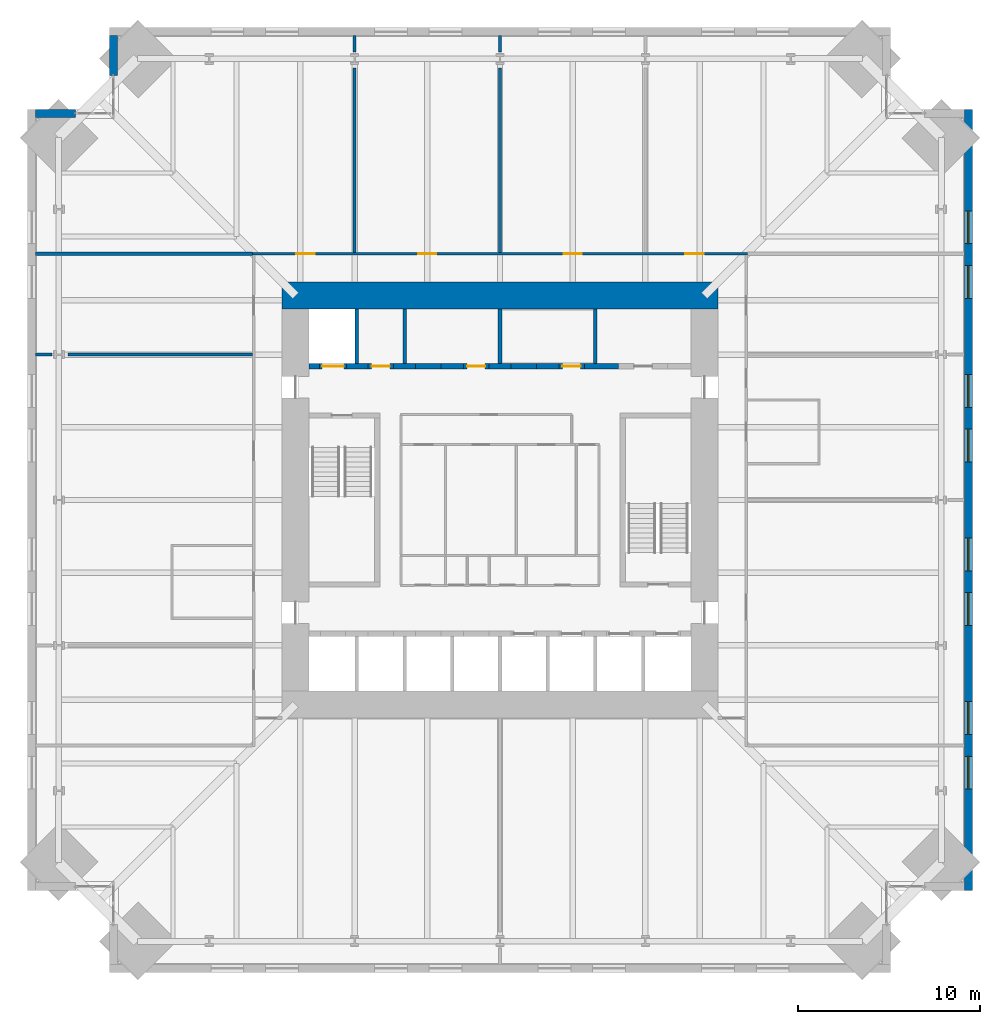
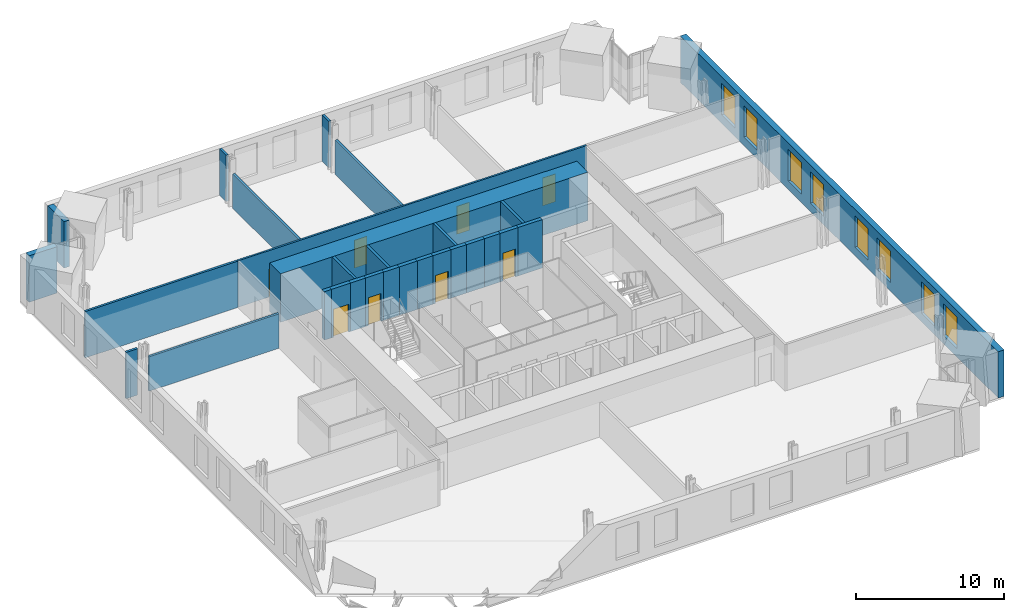
# One storey, part 16 of 18: 29 walls, 8 doors, 8 windows, 16 openings.
"""IFC4 building model written with IfcOpenShell, lengths in metres."""

from ifc_helpers import new_model, si_unit, direction, frame, frame_2d, origin, place, context, subcontext, project, spatial, rectangle, extrude, material, layer, layer_set, type_object, element, fill, save


model = new_model("IFC4")

# Units and contexts
model_context = context("Model", 3, precision=1e-05, world=origin(), true_north=direction((0.0, 1.0)))
body_context = subcontext(model_context, "Body", "Model", "MODEL_VIEW")
ifc_project = project(units=[si_unit("LENGTHUNIT", "METRE"), si_unit("AREAUNIT", "SQUARE_METRE"), si_unit("VOLUMEUNIT", "CUBIC_METRE"), si_unit("PLANEANGLEUNIT", "RADIAN"), si_unit("MASSUNIT", "GRAM", prefix="KILO")], contexts=[model_context])

# Site, building, storey
site_placement = place(None, origin())
site = spatial("IfcSite", under=ifc_project, at=site_placement, CompositionType="ELEMENT")
building_placement = place(site_placement, origin())
building = spatial("IfcBuilding", under=site, at=building_placement, Name="Peilmerk Tower", CompositionType="ELEMENT")
storey_placement = place(building_placement, frame((0.0, 0.0, 163.800048828125)))
storey = spatial("IfcBuildingStorey", under=building, at=storey_placement, Name="L34", CompositionType="ELEMENT", Elevation=163.800048828125)

# Wall, openings, windows
ifc_material_1 = material(Name="Precast concrete C45/55, board-marked finish", Category="concrete")
ifc_layer_1 = layer(ifc_material_1, 0.449951171875)
ifc_layer_set_1 = layer_set([ifc_layer_1], Name="Precast concrete C45/55, board-marked finish")
wall_type_1 = type_object("IfcWallType", Name="EW1 450 precast concrete facade wall, board-marked", PredefinedType="SOLIDWALL", material=ifc_layer_set_1)
wall_1_placement = place(storey_placement, frame((25.77490234375, -21.5, 0.0), z_axis=(0.0, 0.0, 1.0), x_axis=(0.0, 1.0, 0.0)))
wall_1 = element("IfcWall", 1, at=wall_1_placement, inside=storey, type_object=wall_type_1, Name="Facade wall E L34", PredefinedType="SOLIDWALL", context=body_context, shape_type="SweptSolid", body=[
    extrude(rectangle(XDim=43.0, YDim=0.449951171875, at=frame_2d((21.5, 0.0))), origin(), (0.0, 0.0, 1.0), 3.829833984375),
])
opening_1_placement = place(wall_1_placement, frame((5.60009765625, 0.0, 0.699951171875)))
opening_1 = element("IfcOpeningElement", 2, at=opening_1_placement, cuts=wall_1, Name="Opening W1", PredefinedType="OPENING", context=body_context, shape_type="SweptSolid", body=[
    extrude(rectangle(XDim=1.800048828125, YDim=2.60009765625, at=frame_2d((0.89990234375, 1.300048828125))), frame((0.0, 0.23486328125, 0.0), z_axis=(0.0, -1.0, 0.0), x_axis=(1.0, 0.0, 0.0)), (0.0, 0.0, 1.0), 0.469970703125),
])
opening_2_placement = place(wall_1_placement, frame((8.60009765625, 0.0, 0.699951171875)))
opening_2 = element("IfcOpeningElement", 3, at=opening_2_placement, cuts=wall_1, Name="Opening W1", PredefinedType="OPENING", context=body_context, shape_type="SweptSolid", body=[
    extrude(rectangle(XDim=1.800048828125, YDim=2.60009765625, at=frame_2d((0.89990234375, 1.300048828125))), frame((0.0, 0.23486328125, 0.0), z_axis=(0.0, -1.0, 0.0), x_axis=(1.0, 0.0, 0.0)), (0.0, 0.0, 1.0), 0.469970703125),
])
opening_3_placement = place(wall_1_placement, frame((14.60009765625, 0.0, 0.699951171875)))
opening_3 = element("IfcOpeningElement", 4, at=opening_3_placement, cuts=wall_1, Name="Opening W1", PredefinedType="OPENING", context=body_context, shape_type="SweptSolid", body=[
    extrude(rectangle(XDim=1.800048828125, YDim=2.60009765625, at=frame_2d((0.89990234375, 1.300048828125))), frame((0.0, 0.23486328125, 0.0), z_axis=(0.0, -1.0, 0.0), x_axis=(1.0, 0.0, 0.0)), (0.0, 0.0, 1.0), 0.469970703125),
])
opening_4_placement = place(wall_1_placement, frame((17.60009765625, 0.0, 0.699951171875)))
opening_4 = element("IfcOpeningElement", 5, at=opening_4_placement, cuts=wall_1, Name="Opening W1", PredefinedType="OPENING", context=body_context, shape_type="SweptSolid", body=[
    extrude(rectangle(XDim=1.800048828125, YDim=2.60009765625, at=frame_2d((0.89990234375, 1.300048828125))), frame((0.0, 0.23486328125, 0.0), z_axis=(0.0, -1.0, 0.0), x_axis=(1.0, 0.0, 0.0)), (0.0, 0.0, 1.0), 0.469970703125),
])
opening_5_placement = place(wall_1_placement, frame((23.60009765625, 0.0, 0.699951171875)))
opening_5 = element("IfcOpeningElement", 6, at=opening_5_placement, cuts=wall_1, Name="Opening W1", PredefinedType="OPENING", context=body_context, shape_type="SweptSolid", body=[
    extrude(rectangle(XDim=1.800048828125, YDim=2.60009765625, at=frame_2d((0.89990234375, 1.300048828125))), frame((0.0, 0.23486328125, 0.0), z_axis=(0.0, -1.0, 0.0), x_axis=(1.0, 0.0, 0.0)), (0.0, 0.0, 1.0), 0.469970703125),
])
opening_6_placement = place(wall_1_placement, frame((26.60009765625, 0.0, 0.699951171875)))
opening_6 = element("IfcOpeningElement", 7, at=opening_6_placement, cuts=wall_1, Name="Opening W1", PredefinedType="OPENING", context=body_context, shape_type="SweptSolid", body=[
    extrude(rectangle(XDim=1.800048828125, YDim=2.60009765625, at=frame_2d((0.89990234375, 1.300048828125))), frame((0.0, 0.23486328125, 0.0), z_axis=(0.0, -1.0, 0.0), x_axis=(1.0, 0.0, 0.0)), (0.0, 0.0, 1.0), 0.469970703125),
])
opening_7_placement = place(wall_1_placement, frame((32.60009765625, 0.0, 0.699951171875)))
opening_7 = element("IfcOpeningElement", 8, at=opening_7_placement, cuts=wall_1, Name="Opening W1", PredefinedType="OPENING", context=body_context, shape_type="SweptSolid", body=[
    extrude(rectangle(XDim=1.800048828125, YDim=2.60009765625, at=frame_2d((0.89990234375, 1.300048828125))), frame((0.0, 0.23486328125, 0.0), z_axis=(0.0, -1.0, 0.0), x_axis=(1.0, 0.0, 0.0)), (0.0, 0.0, 1.0), 0.469970703125),
])
opening_8_placement = place(wall_1_placement, frame((35.60009765625, 0.0, 0.699951171875)))
opening_8 = element("IfcOpeningElement", 9, at=opening_8_placement, cuts=wall_1, Name="Opening W1", PredefinedType="OPENING", context=body_context, shape_type="SweptSolid", body=[
    extrude(rectangle(XDim=1.800048828125, YDim=2.60009765625, at=frame_2d((0.89990234375, 1.300048828125))), frame((0.0, 0.23486328125, 0.0), z_axis=(0.0, -1.0, 0.0), x_axis=(1.0, 0.0, 0.0)), (0.0, 0.0, 1.0), 0.469970703125),
])
ifc_material_2 = material(Name="Aluminium frame, clear double glazing", Category="aluminium")
window_type = type_object("IfcWindowType", Name="W1 1800x2600 office window", PartitioningType="SINGLE_PANEL", PredefinedType="WINDOW", material=ifc_material_2)
window_1_placement = place(opening_1_placement, origin())
window_1 = element("IfcWindow", 10, at=window_1_placement, inside=storey, type_object=window_type, Name="Window W1 L34", OverallHeight=2.60009765625, OverallWidth=1.800048828125, PartitioningType="SINGLE_PANEL", PredefinedType="WINDOW", context=body_context, shape_type="SweptSolid", body=[
    extrude(rectangle(XDim=1.800048828125, YDim=2.60009765625, at=frame_2d((0.89990234375, 1.300048828125))), frame((0.0, 0.030029296875, 0.0), z_axis=(0.0, -1.0, 0.0), x_axis=(1.0, 0.0, 0.0)), (0.0, 0.0, 1.0), 0.06005859375),
])
fill(opening_1, window_1)
window_2_placement = place(opening_2_placement, origin())
window_2 = element("IfcWindow", 11, at=window_2_placement, inside=storey, type_object=window_type, Name="Window W1 L34", OverallHeight=2.60009765625, OverallWidth=1.800048828125, PartitioningType="SINGLE_PANEL", PredefinedType="WINDOW", context=body_context, shape_type="SweptSolid", body=[
    extrude(rectangle(XDim=1.800048828125, YDim=2.60009765625, at=frame_2d((0.89990234375, 1.300048828125))), frame((0.0, 0.030029296875, 0.0), z_axis=(0.0, -1.0, 0.0), x_axis=(1.0, 0.0, 0.0)), (0.0, 0.0, 1.0), 0.06005859375),
])
fill(opening_2, window_2)
window_3_placement = place(opening_3_placement, origin())
window_3 = element("IfcWindow", 12, at=window_3_placement, inside=storey, type_object=window_type, Name="Window W1 L34", OverallHeight=2.60009765625, OverallWidth=1.800048828125, PartitioningType="SINGLE_PANEL", PredefinedType="WINDOW", context=body_context, shape_type="SweptSolid", body=[
    extrude(rectangle(XDim=1.800048828125, YDim=2.60009765625, at=frame_2d((0.89990234375, 1.300048828125))), frame((0.0, 0.030029296875, 0.0), z_axis=(0.0, -1.0, 0.0), x_axis=(1.0, 0.0, 0.0)), (0.0, 0.0, 1.0), 0.06005859375),
])
fill(opening_3, window_3)
window_4_placement = place(opening_4_placement, origin())
window_4 = element("IfcWindow", 13, at=window_4_placement, inside=storey, type_object=window_type, Name="Window W1 L34", OverallHeight=2.60009765625, OverallWidth=1.800048828125, PartitioningType="SINGLE_PANEL", PredefinedType="WINDOW", context=body_context, shape_type="SweptSolid", body=[
    extrude(rectangle(XDim=1.800048828125, YDim=2.60009765625, at=frame_2d((0.89990234375, 1.300048828125))), frame((0.0, 0.030029296875, 0.0), z_axis=(0.0, -1.0, 0.0), x_axis=(1.0, 0.0, 0.0)), (0.0, 0.0, 1.0), 0.06005859375),
])
fill(opening_4, window_4)
window_5_placement = place(opening_5_placement, origin())
window_5 = element("IfcWindow", 14, at=window_5_placement, inside=storey, type_object=window_type, Name="Window W1 L34", OverallHeight=2.60009765625, OverallWidth=1.800048828125, PartitioningType="SINGLE_PANEL", PredefinedType="WINDOW", context=body_context, shape_type="SweptSolid", body=[
    extrude(rectangle(XDim=1.800048828125, YDim=2.60009765625, at=frame_2d((0.89990234375, 1.300048828125))), frame((0.0, 0.030029296875, 0.0), z_axis=(0.0, -1.0, 0.0), x_axis=(1.0, 0.0, 0.0)), (0.0, 0.0, 1.0), 0.06005859375),
])
fill(opening_5, window_5)
window_6_placement = place(opening_6_placement, origin())
window_6 = element("IfcWindow", 15, at=window_6_placement, inside=storey, type_object=window_type, Name="Window W1 L34", OverallHeight=2.60009765625, OverallWidth=1.800048828125, PartitioningType="SINGLE_PANEL", PredefinedType="WINDOW", context=body_context, shape_type="SweptSolid", body=[
    extrude(rectangle(XDim=1.800048828125, YDim=2.60009765625, at=frame_2d((0.89990234375, 1.300048828125))), frame((0.0, 0.030029296875, 0.0), z_axis=(0.0, -1.0, 0.0), x_axis=(1.0, 0.0, 0.0)), (0.0, 0.0, 1.0), 0.06005859375),
])
fill(opening_6, window_6)
window_7_placement = place(opening_7_placement, origin())
window_7 = element("IfcWindow", 16, at=window_7_placement, inside=storey, type_object=window_type, Name="Window W1 L34", OverallHeight=2.60009765625, OverallWidth=1.800048828125, PartitioningType="SINGLE_PANEL", PredefinedType="WINDOW", context=body_context, shape_type="SweptSolid", body=[
    extrude(rectangle(XDim=1.800048828125, YDim=2.60009765625, at=frame_2d((0.89990234375, 1.300048828125))), frame((0.0, 0.030029296875, 0.0), z_axis=(0.0, -1.0, 0.0), x_axis=(1.0, 0.0, 0.0)), (0.0, 0.0, 1.0), 0.06005859375),
])
fill(opening_7, window_7)
window_8_placement = place(opening_8_placement, origin())
window_8 = element("IfcWindow", 17, at=window_8_placement, inside=storey, type_object=window_type, Name="Window W1 L34", OverallHeight=2.60009765625, OverallWidth=1.800048828125, PartitioningType="SINGLE_PANEL", PredefinedType="WINDOW", context=body_context, shape_type="SweptSolid", body=[
    extrude(rectangle(XDim=1.800048828125, YDim=2.60009765625, at=frame_2d((0.89990234375, 1.300048828125))), frame((0.0, 0.030029296875, 0.0), z_axis=(0.0, -1.0, 0.0), x_axis=(1.0, 0.0, 0.0)), (0.0, 0.0, 1.0), 0.06005859375),
])
fill(opening_8, window_8)

# Walls
for number, where, z_axis, x_axis, name in (
    (18, (-21.27490234375, 23.353759765625, 0.0), (0.0, 0.0, 1.0), (0.0, 1.0, 0.0), "Facade wall NWA L34"),
    (19, (-23.353759765625, 21.27490234375, 0.0), (0.0, 0.0, 1.0), (-1.0, 0.0, 0.0), "Facade wall NWB L34"),
):
    element("IfcWall", number, at=place(storey_placement, frame(where, z_axis=z_axis, x_axis=x_axis)), inside=storey, type_object=wall_type_1, Name=name, PredefinedType="SOLIDWALL", context=body_context, shape_type="SweptSolid", body=[
        extrude(rectangle(XDim=2.1962890625, YDim=0.449951171875, at=frame_2d((1.09814453125, 0.0))), origin(), (0.0, 0.0, 1.0), 3.829833984375),
    ])

# Wall, openings, doors
ifc_material_3 = material(Name="Calcium silicate block", Category="masonry")
ifc_layer_2 = layer(ifc_material_3, 0.14990234375)
ifc_layer_set_2 = layer_set([ifc_layer_2], Name="Calcium silicate block")
wall_type_2 = type_object("IfcWallType", Name="IW1 150 corridor partition, EI 60", PredefinedType="PARTITIONING", material=ifc_layer_set_2)
wall_2_placement = place(storey_placement, frame((-13.625, 13.550048828125, 0.0), z_axis=(0.0, 0.0, 1.0), x_axis=(1.0, 0.0, 0.0)))
wall_2 = element("IfcWall", 20, at=wall_2_placement, inside=storey, type_object=wall_type_2, Name="Corridor wall N L34", PredefinedType="PARTITIONING", context=body_context, shape_type="SweptSolid", body=[
    extrude(rectangle(XDim=27.25, YDim=0.14990234375, at=frame_2d((13.625, 0.0))), origin(), (0.0, 0.0, 1.0), 3.829833984375),
])
opening_9_placement = place(wall_2_placement, frame((2.425048828125, 0.0, 0.0)))
opening_9 = element("IfcOpeningElement", 21, at=opening_9_placement, cuts=wall_2, Name="Opening D1", PredefinedType="OPENING", context=body_context, shape_type="SweptSolid", body=[
    extrude(rectangle(XDim=1.0, YDim=2.300048828125, at=frame_2d((0.5, 1.14990234375))), frame((0.0, 0.0849609375, 0.0), z_axis=(0.0, -1.0, 0.0), x_axis=(1.0, 0.0, 0.0)), (0.0, 0.0, 1.0), 0.169921875),
])
opening_10_placement = place(wall_2_placement, frame((9.125, 0.0, 0.0)))
opening_10 = element("IfcOpeningElement", 22, at=opening_10_placement, cuts=wall_2, Name="Opening D1", PredefinedType="OPENING", context=body_context, shape_type="SweptSolid", body=[
    extrude(rectangle(XDim=1.0, YDim=2.300048828125, at=frame_2d((0.5, 1.14990234375))), frame((0.0, 0.0849609375, 0.0), z_axis=(0.0, -1.0, 0.0), x_axis=(1.0, 0.0, 0.0)), (0.0, 0.0, 1.0), 0.169921875),
])
opening_11_placement = place(wall_2_placement, frame((17.125, 0.0, 0.0)))
opening_11 = element("IfcOpeningElement", 23, at=opening_11_placement, cuts=wall_2, Name="Opening D1", PredefinedType="OPENING", context=body_context, shape_type="SweptSolid", body=[
    extrude(rectangle(XDim=1.0, YDim=2.300048828125, at=frame_2d((0.5, 1.14990234375))), frame((0.0, 0.0849609375, 0.0), z_axis=(0.0, -1.0, 0.0), x_axis=(1.0, 0.0, 0.0)), (0.0, 0.0, 1.0), 0.169921875),
])
opening_12_placement = place(wall_2_placement, frame((23.824951171875, 0.0, 0.0)))
opening_12 = element("IfcOpeningElement", 24, at=opening_12_placement, cuts=wall_2, Name="Opening D1", PredefinedType="OPENING", context=body_context, shape_type="SweptSolid", body=[
    extrude(rectangle(XDim=1.0, YDim=2.300048828125, at=frame_2d((0.5, 1.14990234375))), frame((0.0, 0.0849609375, 0.0), z_axis=(0.0, -1.0, 0.0), x_axis=(1.0, 0.0, 0.0)), (0.0, 0.0, 1.0), 0.169921875),
])
ifc_material_4 = material(Name="Timber door in steel frame", Category="steel")
door_type_1 = type_object("IfcDoorType", Name="D1 1000x2300 room door, EI2 30", OperationType="SINGLE_SWING_LEFT", PredefinedType="DOOR", material=ifc_material_4)
door_1_placement = place(opening_9_placement, origin())
door_1 = element("IfcDoor", 25, at=door_1_placement, inside=storey, type_object=door_type_1, Name="Door Office L34", OperationType="SINGLE_SWING_LEFT", OverallHeight=2.300048828125, OverallWidth=1.0, PredefinedType="DOOR", context=body_context, shape_type="SweptSolid", body=[
    extrude(rectangle(XDim=1.0, YDim=2.300048828125, at=frame_2d((0.5, 1.14990234375))), frame((0.0, 0.02490234375, 0.0), z_axis=(0.0, -1.0, 0.0), x_axis=(1.0, 0.0, 0.0)), (0.0, 0.0, 1.0), 0.050048828125),
])
fill(opening_9, door_1)
door_2_placement = place(opening_10_placement, origin())
door_2 = element("IfcDoor", 26, at=door_2_placement, inside=storey, type_object=door_type_1, Name="Door Office L34", OperationType="SINGLE_SWING_LEFT", OverallHeight=2.300048828125, OverallWidth=1.0, PredefinedType="DOOR", context=body_context, shape_type="SweptSolid", body=[
    extrude(rectangle(XDim=1.0, YDim=2.300048828125, at=frame_2d((0.5, 1.14990234375))), frame((0.0, 0.02490234375, 0.0), z_axis=(0.0, -1.0, 0.0), x_axis=(1.0, 0.0, 0.0)), (0.0, 0.0, 1.0), 0.050048828125),
])
fill(opening_10, door_2)
door_3_placement = place(opening_11_placement, origin())
door_3 = element("IfcDoor", 27, at=door_3_placement, inside=storey, type_object=door_type_1, Name="Door Office L34", OperationType="SINGLE_SWING_LEFT", OverallHeight=2.300048828125, OverallWidth=1.0, PredefinedType="DOOR", context=body_context, shape_type="SweptSolid", body=[
    extrude(rectangle(XDim=1.0, YDim=2.300048828125, at=frame_2d((0.5, 1.14990234375))), frame((0.0, 0.02490234375, 0.0), z_axis=(0.0, -1.0, 0.0), x_axis=(1.0, 0.0, 0.0)), (0.0, 0.0, 1.0), 0.050048828125),
])
fill(opening_11, door_3)
door_4_placement = place(opening_12_placement, origin())
door_4 = element("IfcDoor", 28, at=door_4_placement, inside=storey, type_object=door_type_1, Name="Door Office L34", OperationType="SINGLE_SWING_LEFT", OverallHeight=2.300048828125, OverallWidth=1.0, PredefinedType="DOOR", context=body_context, shape_type="SweptSolid", body=[
    extrude(rectangle(XDim=1.0, YDim=2.300048828125, at=frame_2d((0.5, 1.14990234375))), frame((0.0, 0.02490234375, 0.0), z_axis=(0.0, -1.0, 0.0), x_axis=(1.0, 0.0, 0.0)), (0.0, 0.0, 1.0), 0.050048828125),
])
fill(opening_12, door_4)

# Walls
ifc_layer_3 = layer(ifc_material_3, 0.175048828125)
ifc_layer_set_3 = layer_set([ifc_layer_3], Name="Calcium silicate block")
wall_type_3 = type_object("IfcWallType", Name="IW8 175 tenant separating wall, EI 60", PredefinedType="PARTITIONING", material=ifc_layer_set_3)
wall_3_placement = place(storey_placement, frame((-25.550048828125, 13.550048828125, 0.0), z_axis=(0.0, 0.0, 1.0), x_axis=(1.0, 0.0, 0.0)))
element("IfcWall", 29, at=wall_3_placement, inside=storey, type_object=wall_type_3, Name="Tenant separating wall NW L34", PredefinedType="PARTITIONING", context=body_context, shape_type="SweptSolid", body=[
    extrude(rectangle(XDim=11.925048828125, YDim=0.175048828125, at=frame_2d((5.96240234375, 0.0))), origin(), (0.0, 0.0, 1.0), 3.829833984375),
])
wall_4_placement = place(storey_placement, frame((-8.0, 13.625, 0.0), z_axis=(0.0, 0.0, 1.0), x_axis=(0.0, 1.0, 0.0)))
element("IfcWall", 30, at=wall_4_placement, inside=storey, type_object=wall_type_3, Name="Tenant separating wall N1 L34", PredefinedType="PARTITIONING", context=body_context, shape_type="SweptSolid", body=[
    extrude(rectangle(XDim=10.1416015625, YDim=0.175048828125, at=frame_2d((5.07080078125, 0.0))), origin(), (0.0, 0.0, 1.0), 2.83984375),
])
wall_5_placement = place(storey_placement, frame((-8.0, 24.656005859375, 0.0), z_axis=(0.0, 0.0, 1.0), x_axis=(0.0, 1.0, 0.0)))
element("IfcWall", 31, at=wall_5_placement, inside=storey, type_object=wall_type_3, Name="Tenant separating wall N1b L34", PredefinedType="PARTITIONING", context=body_context, shape_type="SweptSolid", body=[
    extrude(rectangle(XDim=0.89404296875, YDim=0.175048828125, at=frame_2d((0.447021484375, 0.0))), origin(), (0.0, 0.0, 1.0), 3.829833984375),
])
wall_6_placement = place(storey_placement, frame((0.0, 13.625, 0.0), z_axis=(0.0, 0.0, 1.0), x_axis=(0.0, 1.0, 0.0)))
element("IfcWall", 32, at=wall_6_placement, inside=storey, type_object=wall_type_3, Name="Tenant separating wall N2 L34", PredefinedType="PARTITIONING", context=body_context, shape_type="SweptSolid", body=[
    extrude(rectangle(XDim=10.1416015625, YDim=0.175048828125, at=frame_2d((5.07080078125, 0.0))), origin(), (0.0, 0.0, 1.0), 2.83984375),
])
wall_7_placement = place(storey_placement, frame((0.0, 24.656005859375, 0.0), z_axis=(0.0, 0.0, 1.0), x_axis=(0.0, 1.0, 0.0)))
element("IfcWall", 33, at=wall_7_placement, inside=storey, type_object=wall_type_3, Name="Tenant separating wall N2b L34", PredefinedType="PARTITIONING", context=body_context, shape_type="SweptSolid", body=[
    extrude(rectangle(XDim=0.89404296875, YDim=0.175048828125, at=frame_2d((0.447021484375, 0.0))), origin(), (0.0, 0.0, 1.0), 3.829833984375),
])
wall_8_placement = place(storey_placement, frame((-13.625, 8.0, 0.0), z_axis=(0.0, 0.0, 1.0), x_axis=(-1.0, 0.0, 0.0)))
element("IfcWall", 34, at=wall_8_placement, inside=storey, type_object=wall_type_3, Name="Tenant separating wall W2 L34", PredefinedType="PARTITIONING", context=body_context, shape_type="SweptSolid", body=[
    extrude(rectangle(XDim=10.1416015625, YDim=0.175048828125, at=frame_2d((5.07080078125, 0.0))), origin(), (0.0, 0.0, 1.0), 2.83984375),
])
wall_9_placement = place(storey_placement, frame((-24.656005859375, 8.0, 0.0), z_axis=(0.0, 0.0, 1.0), x_axis=(-1.0, 0.0, 0.0)))
element("IfcWall", 35, at=wall_9_placement, inside=storey, type_object=wall_type_3, Name="Tenant separating wall W2b L34", PredefinedType="PARTITIONING", context=body_context, shape_type="SweptSolid", body=[
    extrude(rectangle(XDim=0.89404296875, YDim=0.175048828125, at=frame_2d((0.447021484375, 0.0))), origin(), (0.0, 0.0, 1.0), 3.829833984375),
])
ifc_layer_4 = layer(ifc_material_3, 0.199951171875)
ifc_layer_set_4 = layer_set([ifc_layer_4], Name="Calcium silicate block")
wall_type_4 = type_object("IfcWallType", Name="SH1 200 shaft dividing wall, EI 120", PredefinedType="PARTITIONING", material=ifc_layer_set_4)
for number, where, z_axis, x_axis, name in (
    (36, (-7.875, 7.5, 0.0), (0.0, 0.0, 1.0), (0.0, 1.0, 0.0), "Shaft wall N FL1 L34"),
    (37, (-5.25, 7.5, 0.0), (0.0, 0.0, 1.0), (0.0, 1.0, 0.0), "Shaft wall N A1 L34"),
    (38, (0.0, 7.5, 0.0), (0.0, 0.0, 1.0), (0.0, 1.0, 0.0), "Shaft wall N A3 L34"),
    (39, (5.25, 7.5, 0.0), (0.0, 0.0, 1.0), (0.0, 1.0, 0.0), "Shaft wall N S2 L34"),
):
    element("IfcWall", number, at=place(storey_placement, frame(where, z_axis=z_axis, x_axis=x_axis)), inside=storey, type_object=wall_type_4, Name=name, PredefinedType="PARTITIONING", context=body_context, shape_type="SweptSolid", body=[
        extrude(rectangle(XDim=3.0, YDim=0.199951171875, at=frame_2d((1.5, 0.0))), origin(), (0.0, 0.0, 1.0), 4.0),
    ])

# Wall, opening, door
ifc_layer_5 = layer(ifc_material_3, 0.300048828125)
ifc_layer_set_5 = layer_set([ifc_layer_5], Name="Calcium silicate block")
wall_type_5 = type_object("IfcWallType", Name="SH2 300 lift landing door panel, EI 120", PredefinedType="PARTITIONING", material=ifc_layer_set_5)
wall_10_placement = place(storey_placement, frame((-9.9375, 7.35009765625, 0.0), z_axis=(0.0, 0.0, 1.0), x_axis=(1.0, 0.0, 0.0)))
wall_10 = element("IfcWall", 40, at=wall_10_placement, inside=storey, type_object=wall_type_5, Name="Lift door panel N FL1 L34", PredefinedType="PARTITIONING", context=body_context, shape_type="SweptSolid", body=[
    extrude(rectangle(XDim=1.5, YDim=0.300048828125, at=frame_2d((0.75, 0.0))), origin(), (0.0, 0.0, 1.0), 4.0),
])
opening_13_placement = place(wall_10_placement, frame((0.14990234375, 0.0, 0.0)))
opening_13 = element("IfcOpeningElement", 41, at=opening_13_placement, cuts=wall_10, Name="Opening LD2", PredefinedType="OPENING", context=body_context, shape_type="SweptSolid", body=[
    extrude(rectangle(XDim=1.199951171875, YDim=2.300048828125, at=frame_2d((0.60009765625, 1.14990234375))), frame((0.0, 0.159912109375, 0.0), z_axis=(0.0, -1.0, 0.0), x_axis=(1.0, 0.0, 0.0)), (0.0, 0.0, 1.0), 0.320068359375),
])
ifc_material_5 = material(Name="Stainless steel landing door", Category="steel")
door_type_2 = type_object("IfcDoorType", Name="LD2 1200x2300 lift landing door, sliding, EI2 60", OperationType="SLIDING_TO_LEFT", PredefinedType="DOOR", material=ifc_material_5)
door_5_placement = place(opening_13_placement, frame((1.199951171875, 0.0, 0.0), z_axis=(0.0, 0.0, 1.0), x_axis=(-1.0, 0.0, 0.0)))
door_5 = element("IfcDoor", 42, at=door_5_placement, inside=storey, type_object=door_type_2, Name="Lift landing door FL1 L34", OperationType="SLIDING_TO_LEFT", OverallHeight=2.300048828125, OverallWidth=1.199951171875, PredefinedType="DOOR", context=body_context, shape_type="SweptSolid", body=[
    extrude(rectangle(XDim=1.199951171875, YDim=2.300048828125, at=frame_2d((0.60009765625, 1.14990234375))), frame((0.0, 0.02490234375, 0.0), z_axis=(0.0, -1.0, 0.0), x_axis=(1.0, 0.0, 0.0)), (0.0, 0.0, 1.0), 0.050048828125),
])
fill(opening_13, door_5)

wall_11_placement = place(storey_placement, frame((-7.262451171875, 7.35009765625, 0.0), z_axis=(0.0, 0.0, 1.0), x_axis=(1.0, 0.0, 0.0)))
wall_11 = element("IfcWall", 43, at=wall_11_placement, inside=storey, type_object=wall_type_5, Name="Lift door panel N A1 L34", PredefinedType="PARTITIONING", context=body_context, shape_type="SweptSolid", body=[
    extrude(rectangle(XDim=1.39990234375, YDim=0.300048828125, at=frame_2d((0.699951171875, 0.0))), origin(), (0.0, 0.0, 1.0), 4.0),
])
opening_14_placement = place(wall_11_placement, frame((0.199951171875, 0.0, 0.0)))
opening_14 = element("IfcOpeningElement", 44, at=opening_14_placement, cuts=wall_11, Name="Opening D10", PredefinedType="OPENING", context=body_context, shape_type="SweptSolid", body=[
    extrude(rectangle(XDim=1.0, YDim=2.300048828125, at=frame_2d((0.5, 1.14990234375))), frame((0.0, 0.159912109375, 0.0), z_axis=(0.0, -1.0, 0.0), x_axis=(1.0, 0.0, 0.0)), (0.0, 0.0, 1.0), 0.320068359375),
])
ifc_material_6 = material(Name="Steel door in steel frame", Category="steel")
door_type_3 = type_object("IfcDoorType", Name="D10 1000x2300 core room door, EI2 60", OperationType="SINGLE_SWING_RIGHT", PredefinedType="DOOR", material=ifc_material_6)
door_6_placement = place(opening_14_placement, origin())
door_6 = element("IfcDoor", 45, at=door_6_placement, inside=storey, type_object=door_type_3, Name="Door Water meter room L34", OperationType="SINGLE_SWING_RIGHT", OverallHeight=2.300048828125, OverallWidth=1.0, PredefinedType="DOOR", context=body_context, shape_type="SweptSolid", body=[
    extrude(rectangle(XDim=1.0, YDim=2.300048828125, at=frame_2d((0.5, 1.14990234375))), frame((0.0, 0.02490234375, 0.0), z_axis=(0.0, -1.0, 0.0), x_axis=(1.0, 0.0, 0.0)), (0.0, 0.0, 1.0), 0.050048828125),
])
fill(opening_14, door_6)

# Wall
wall_12_placement = place(storey_placement, frame((-4.637451171875, 7.35009765625, 0.0), z_axis=(0.0, 0.0, 1.0), x_axis=(1.0, 0.0, 0.0)))
element("IfcWall", 46, at=wall_12_placement, inside=storey, type_object=wall_type_5, Name="Lift door panel N A2 L34", PredefinedType="PARTITIONING", context=body_context, shape_type="SweptSolid", body=[
    extrude(rectangle(XDim=1.39990234375, YDim=0.300048828125, at=frame_2d((0.699951171875, 0.0))), origin(), (0.0, 0.0, 1.0), 4.0),
])

# Wall, opening, door
wall_13_placement = place(storey_placement, frame((-2.012451171875, 7.35009765625, 0.0), z_axis=(0.0, 0.0, 1.0), x_axis=(1.0, 0.0, 0.0)))
wall_13 = element("IfcWall", 47, at=wall_13_placement, inside=storey, type_object=wall_type_5, Name="Lift door panel N A3 L34", PredefinedType="PARTITIONING", context=body_context, shape_type="SweptSolid", body=[
    extrude(rectangle(XDim=1.39990234375, YDim=0.300048828125, at=frame_2d((0.699951171875, 0.0))), origin(), (0.0, 0.0, 1.0), 4.0),
])
opening_15_placement = place(wall_13_placement, frame((0.199951171875, 0.0, 0.0)))
opening_15 = element("IfcOpeningElement", 48, at=opening_15_placement, cuts=wall_13, Name="Opening D10", PredefinedType="OPENING", context=body_context, shape_type="SweptSolid", body=[
    extrude(rectangle(XDim=1.0, YDim=2.300048828125, at=frame_2d((0.5, 1.14990234375))), frame((0.0, 0.159912109375, 0.0), z_axis=(0.0, -1.0, 0.0), x_axis=(1.0, 0.0, 0.0)), (0.0, 0.0, 1.0), 0.320068359375),
])
door_7_placement = place(opening_15_placement, origin())
door_7 = element("IfcDoor", 49, at=door_7_placement, inside=storey, type_object=door_type_3, Name="Door Vending room L34", OperationType="SINGLE_SWING_RIGHT", OverallHeight=2.300048828125, OverallWidth=1.0, PredefinedType="DOOR", context=body_context, shape_type="SweptSolid", body=[
    extrude(rectangle(XDim=1.0, YDim=2.300048828125, at=frame_2d((0.5, 1.14990234375))), frame((0.0, 0.02490234375, 0.0), z_axis=(0.0, -1.0, 0.0), x_axis=(1.0, 0.0, 0.0)), (0.0, 0.0, 1.0), 0.050048828125),
])
fill(opening_15, door_7)

# Wall
wall_14_placement = place(storey_placement, frame((0.612548828125, 7.35009765625, 0.0), z_axis=(0.0, 0.0, 1.0), x_axis=(1.0, 0.0, 0.0)))
element("IfcWall", 50, at=wall_14_placement, inside=storey, type_object=wall_type_5, Name="Lift door panel N S1 L34", PredefinedType="PARTITIONING", context=body_context, shape_type="SweptSolid", body=[
    extrude(rectangle(XDim=1.39990234375, YDim=0.300048828125, at=frame_2d((0.699951171875, 0.0))), origin(), (0.0, 0.0, 1.0), 4.0),
])

# Wall, opening, door
wall_15_placement = place(storey_placement, frame((3.237548828125, 7.35009765625, 0.0), z_axis=(0.0, 0.0, 1.0), x_axis=(1.0, 0.0, 0.0)))
wall_15 = element("IfcWall", 51, at=wall_15_placement, inside=storey, type_object=wall_type_5, Name="Lift door panel N S2 L34", PredefinedType="PARTITIONING", context=body_context, shape_type="SweptSolid", body=[
    extrude(rectangle(XDim=1.39990234375, YDim=0.300048828125, at=frame_2d((0.699951171875, 0.0))), origin(), (0.0, 0.0, 1.0), 4.0),
])
opening_16_placement = place(wall_15_placement, frame((0.199951171875, 0.0, 0.0)))
opening_16 = element("IfcOpeningElement", 52, at=opening_16_placement, cuts=wall_15, Name="Opening D10", PredefinedType="OPENING", context=body_context, shape_type="SweptSolid", body=[
    extrude(rectangle(XDim=1.0, YDim=2.300048828125, at=frame_2d((0.5, 1.14990234375))), frame((0.0, 0.159912109375, 0.0), z_axis=(0.0, -1.0, 0.0), x_axis=(1.0, 0.0, 0.0)), (0.0, 0.0, 1.0), 0.320068359375),
])
door_8_placement = place(opening_16_placement, origin())
door_8 = element("IfcDoor", 53, at=door_8_placement, inside=storey, type_object=door_type_3, Name="Door Back-of-house office L34", OperationType="SINGLE_SWING_RIGHT", OverallHeight=2.300048828125, OverallWidth=1.0, PredefinedType="DOOR", context=body_context, shape_type="SweptSolid", body=[
    extrude(rectangle(XDim=1.0, YDim=2.300048828125, at=frame_2d((0.5, 1.14990234375))), frame((0.0, 0.02490234375, 0.0), z_axis=(0.0, -1.0, 0.0), x_axis=(1.0, 0.0, 0.0)), (0.0, 0.0, 1.0), 0.050048828125),
])
fill(opening_16, door_8)

# Walls
ifc_material_7 = material(Name="Concrete C55/67", Category="concrete")
ifc_layer_6 = layer(ifc_material_7, 1.5)
ifc_layer_set_6 = layer_set([ifc_layer_6], Name="Concrete C55/67")
wall_type_6 = type_object("IfcWallType", Name="SW1 1500 core wall", PredefinedType="SHEAR", material=ifc_layer_set_6)
wall_16_placement = place(storey_placement, frame((-12.0, 11.25, 0.0), z_axis=(0.0, 0.0, 1.0), x_axis=(1.0, 0.0, 0.0)))
element("IfcWall", 54, at=wall_16_placement, inside=storey, type_object=wall_type_6, Name="Core wall N L34", PredefinedType="SHEAR", context=body_context, shape_type="SweptSolid", body=[
    extrude(rectangle(XDim=24.0, YDim=1.5, at=frame_2d((12.0, 0.0))), origin(), (0.0, 0.0, 1.0), 4.0),
])
ifc_layer_7 = layer(ifc_material_7, 0.300048828125)
ifc_layer_set_7 = layer_set([ifc_layer_7], Name="Concrete C55/67")
wall_type_7 = type_object("IfcWallType", Name="SW2 300 lift bank pier", PredefinedType="SHEAR", material=ifc_layer_set_7)
wall_17_placement = place(storey_placement, frame((-10.5, 7.35009765625, 0.0), z_axis=(0.0, 0.0, 1.0), x_axis=(1.0, 0.0, 0.0)))
element("IfcWall", 55, at=wall_17_placement, inside=storey, type_object=wall_type_7, Name="Lift bank pier N L34", PredefinedType="SHEAR", context=body_context, shape_type="SweptSolid", body=[
    extrude(rectangle(XDim=0.5625, YDim=0.300048828125, at=frame_2d((0.28125, 0.0))), origin(), (0.0, 0.0, 1.0), 4.0),
])
wall_18_placement = place(storey_placement, frame((-8.4375, 7.35009765625, 0.0), z_axis=(0.0, 0.0, 1.0), x_axis=(1.0, 0.0, 0.0)))
element("IfcWall", 56, at=wall_18_placement, inside=storey, type_object=wall_type_7, Name="Lift bank pier N L34", PredefinedType="SHEAR", context=body_context, shape_type="SweptSolid", body=[
    extrude(rectangle(XDim=1.175048828125, YDim=0.300048828125, at=frame_2d((0.58740234375, 0.0))), origin(), (0.0, 0.0, 1.0), 4.0),
])
for number, where, z_axis, x_axis, name in (
    (57, (-5.862548828125, 7.35009765625, 0.0), (0.0, 0.0, 1.0), (1.0, 0.0, 0.0), "Lift bank pier N L34"),
    (58, (-3.237548828125, 7.35009765625, 0.0), (0.0, 0.0, 1.0), (1.0, 0.0, 0.0), "Lift bank pier N L34"),
    (59, (-0.612548828125, 7.35009765625, 0.0), (0.0, 0.0, 1.0), (1.0, 0.0, 0.0), "Lift bank pier N L34"),
    (60, (2.012451171875, 7.35009765625, 0.0), (0.0, 0.0, 1.0), (1.0, 0.0, 0.0), "Lift bank pier N L34"),
):
    element("IfcWall", number, at=place(storey_placement, frame(where, z_axis=z_axis, x_axis=x_axis)), inside=storey, type_object=wall_type_7, Name=name, PredefinedType="SHEAR", context=body_context, shape_type="SweptSolid", body=[
        extrude(rectangle(XDim=1.22509765625, YDim=0.300048828125, at=frame_2d((0.612548828125, 0.0))), origin(), (0.0, 0.0, 1.0), 4.0),
    ])
wall_19_placement = place(storey_placement, frame((4.637451171875, 7.35009765625, 0.0), z_axis=(0.0, 0.0, 1.0), x_axis=(1.0, 0.0, 0.0)))
element("IfcWall", 61, at=wall_19_placement, inside=storey, type_object=wall_type_7, Name="Lift bank pier N L34", PredefinedType="SHEAR", context=body_context, shape_type="SweptSolid", body=[
    extrude(rectangle(XDim=1.887451171875, YDim=0.300048828125, at=frame_2d((0.94384765625, 0.0))), origin(), (0.0, 0.0, 1.0), 4.0),
])

save(model, "model.ifc")
